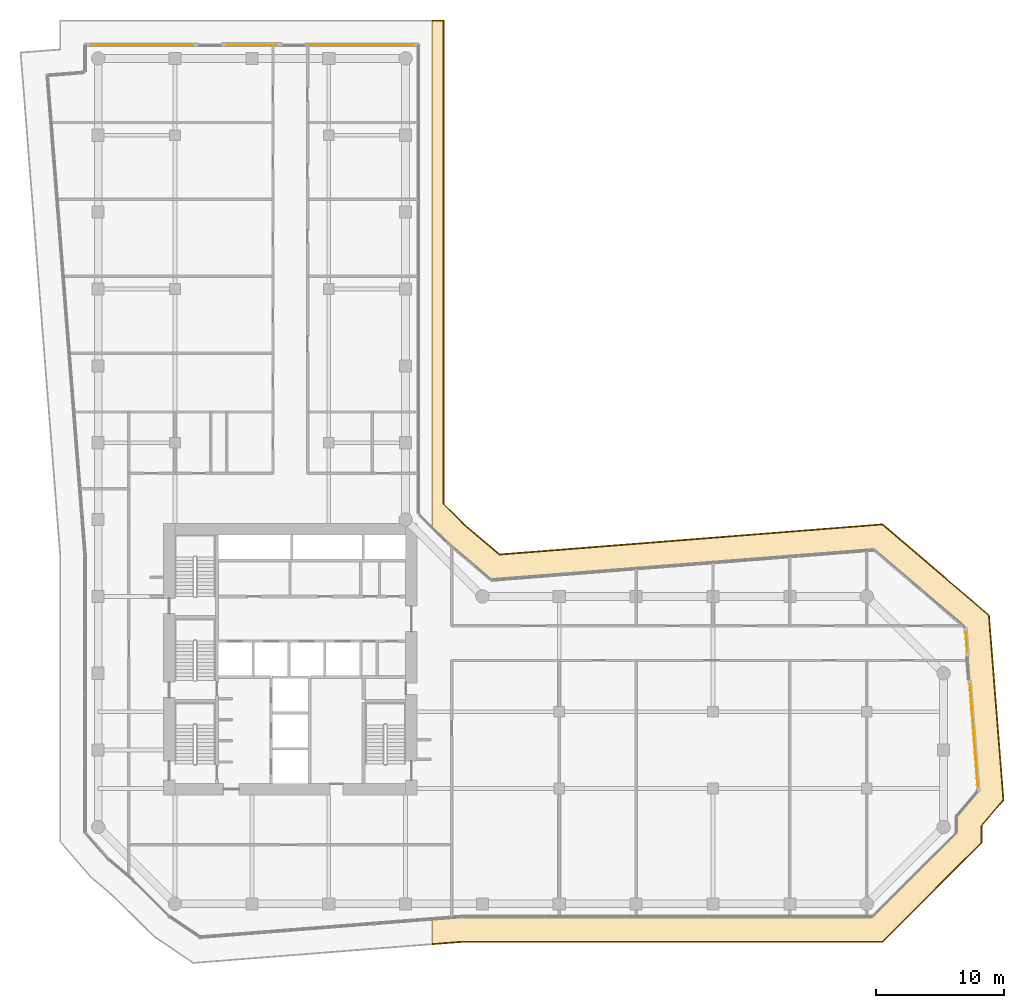
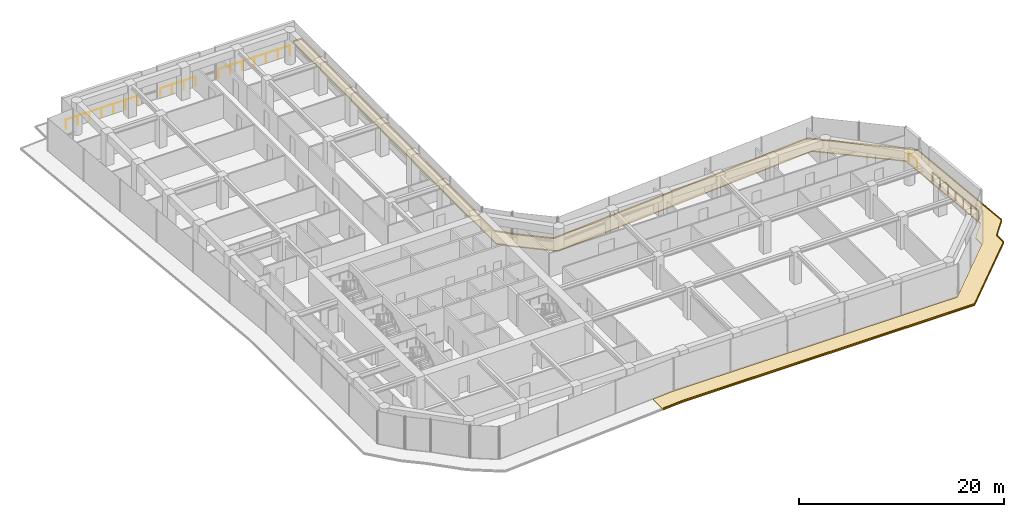
# One storey, part 28 of 28: 5 railings, 2 coverings.
"""IFC4 building model written with IfcOpenShell, lengths in metres."""

from ifc_helpers import new_model, si_unit, direction, frame, origin, origin_2d, place, context, subcontext, project, spatial, polyline, circle, outline, extrude, material, layer, layer_set, type_object, element, save


model = new_model("IFC4")

# Units and contexts
model_context = context("Model", 3, precision=1e-05, world=origin(), true_north=direction((0.0, 1.0)))
body_context = subcontext(model_context, "Body", "Model", "MODEL_VIEW")
ifc_project = project(units=[si_unit("LENGTHUNIT", "METRE"), si_unit("AREAUNIT", "SQUARE_METRE"), si_unit("VOLUMEUNIT", "CUBIC_METRE"), si_unit("PLANEANGLEUNIT", "RADIAN"), si_unit("MASSUNIT", "GRAM", prefix="KILO")], contexts=[model_context])

# Site, building, storey
site_placement = place(None, origin())
site = spatial("IfcSite", under=ifc_project, at=site_placement, CompositionType="ELEMENT")
building_placement = place(site_placement, origin())
building = spatial("IfcBuilding", under=site, at=building_placement, Name="Welwitschia Terrace Campus", CompositionType="ELEMENT")
storey_placement = place(building_placement, frame((0.0, 0.0, 71.0)))
storey = spatial("IfcBuildingStorey", under=building, at=storey_placement, Name="L16", CompositionType="ELEMENT", Elevation=71.0)

# Railings
ifc_material_1 = material(Name="Stainless steel grade 316", Category="steel")
railing_type = type_object("IfcRailingType", Name="Guard 1100", PredefinedType="GUARDRAIL", material=ifc_material_1)
railing_1_placement = place(storey_placement, frame((-0.60791015625, 63.05810546875, 0.0)))
element("IfcRailing", 1, at=railing_1_placement, inside=storey, type_object=railing_type, Name="Guard floor edge L16.0", PredefinedType="GUARDRAIL", context=body_context, shape_type="SweptSolid", body=[
    extrude(circle(Radius=0.02392578125, at=origin_2d()), frame((0.0, 0.0, 1.076171875), z_axis=(1.0, 0.0, 0.0), x_axis=(0.0, 1.0, 0.0)), (0.0, 0.0, 1.0), 8.030517578125),
    extrude(circle(Radius=0.02099609375, at=origin_2d()), origin(), (0.0, 0.0, 1.0), 1.052001953125),
    extrude(circle(Radius=0.02099609375, at=origin_2d()), frame((1.33837890625, 0.0, 0.0)), (0.0, 0.0, 1.0), 1.052001953125),
    extrude(circle(Radius=0.02099609375, at=origin_2d()), frame((2.6767578125, 0.0, 0.0)), (0.0, 0.0, 1.0), 1.052001953125),
    extrude(circle(Radius=0.02099609375, at=origin_2d()), frame((4.01513671875, 0.0, 0.0)), (0.0, 0.0, 1.0), 1.052001953125),
    extrude(circle(Radius=0.02099609375, at=origin_2d()), frame((5.353759765625, 0.0, 0.0)), (0.0, 0.0, 1.0), 1.052001953125),
    extrude(circle(Radius=0.02099609375, at=origin_2d()), frame((6.692138671875, 0.0, 0.0)), (0.0, 0.0, 1.0), 1.052001953125),
    extrude(circle(Radius=0.02099609375, at=origin_2d()), frame((8.030517578125, 0.0, 0.0)), (0.0, 0.0, 1.0), 1.052001953125),
])
railing_2_placement = place(storey_placement, frame((10.048583984375, 63.05810546875, 0.0)))
element("IfcRailing", 2, at=railing_2_placement, inside=storey, type_object=railing_type, Name="Guard floor edge L16.1", PredefinedType="GUARDRAIL", context=body_context, shape_type="SweptSolid", body=[
    extrude(circle(Radius=0.02392578125, at=origin_2d()), frame((0.0, 0.0, 1.076171875), z_axis=(1.0, 0.0, 0.0), x_axis=(0.0, 1.0, 0.0)), (0.0, 0.0, 1.0), 3.90283203125),
    extrude(circle(Radius=0.02099609375, at=origin_2d()), origin(), (0.0, 0.0, 1.0), 1.052001953125),
    extrude(circle(Radius=0.02099609375, at=origin_2d()), frame((1.301025390625, 0.0, 0.0)), (0.0, 0.0, 1.0), 1.052001953125),
    extrude(circle(Radius=0.02099609375, at=origin_2d()), frame((2.601806640625, 0.0, 0.0)), (0.0, 0.0, 1.0), 1.052001953125),
    extrude(circle(Radius=0.02099609375, at=origin_2d()), frame((3.90283203125, 0.0, 0.0)), (0.0, 0.0, 1.0), 1.052001953125),
])
railing_3_placement = place(storey_placement, frame((16.577392578125, 63.05810546875, 0.0)))
element("IfcRailing", 3, at=railing_3_placement, inside=storey, type_object=railing_type, Name="Guard floor edge L16.2", PredefinedType="GUARDRAIL", context=body_context, shape_type="SweptSolid", body=[
    extrude(circle(Radius=0.02392578125, at=origin_2d()), frame((0.0, 0.0, 1.076171875), z_axis=(1.0, 0.0, 0.0), x_axis=(0.0, 1.0, 0.0)), (0.0, 0.0, 1.0), 8.030517578125),
    extrude(circle(Radius=0.02099609375, at=origin_2d()), origin(), (0.0, 0.0, 1.0), 1.052001953125),
    extrude(circle(Radius=0.02099609375, at=origin_2d()), frame((1.33837890625, 0.0, 0.0)), (0.0, 0.0, 1.0), 1.052001953125),
    extrude(circle(Radius=0.02099609375, at=origin_2d()), frame((2.6767578125, 0.0, 0.0)), (0.0, 0.0, 1.0), 1.052001953125),
    extrude(circle(Radius=0.02099609375, at=origin_2d()), frame((4.01513671875, 0.0, 0.0)), (0.0, 0.0, 1.0), 1.052001953125),
    extrude(circle(Radius=0.02099609375, at=origin_2d()), frame((5.353759765625, 0.0, 0.0)), (0.0, 0.0, 1.0), 1.052001953125),
    extrude(circle(Radius=0.02099609375, at=origin_2d()), frame((6.692138671875, 0.0, 0.0)), (0.0, 0.0, 1.0), 1.052001953125),
    extrude(circle(Radius=0.02099609375, at=origin_2d()), frame((8.030517578125, 0.0, 0.0)), (0.0, 0.0, 1.0), 1.052001953125),
])
railing_4_placement = place(storey_placement, frame((67.740234375, 17.1787109375, 0.0)))
element("IfcRailing", 4, at=railing_4_placement, inside=storey, type_object=railing_type, Name="Guard floor edge L16.3", PredefinedType="GUARDRAIL", context=body_context, shape_type="SweptSolid", body=[
    extrude(circle(Radius=0.02392578125, at=origin_2d()), frame((0.0, 0.0, 1.076171875), z_axis=(0.078484396303, -0.996915342212, 0.0), x_axis=(0.996915342212, 0.078484396303, 0.0)), (0.0, 0.0, 1.0), 1.4931640625),
    extrude(circle(Radius=0.02099609375, at=origin_2d()), origin(), (0.0, 0.0, 1.0), 1.052001953125),
    extrude(circle(Radius=0.02099609375, at=origin_2d()), frame((0.1171875, -1.488525390625, 0.0)), (0.0, 0.0, 1.0), 1.052001953125),
])
railing_5_placement = place(storey_placement, frame((68.0634765625, 13.072265625, 0.0)))
element("IfcRailing", 5, at=railing_5_placement, inside=storey, type_object=railing_type, Name="Guard floor edge L16.4", PredefinedType="GUARDRAIL", context=body_context, shape_type="SweptSolid", body=[
    extrude(circle(Radius=0.02392578125, at=origin_2d()), frame((0.0, 0.0, 1.076171875), z_axis=(0.078461782342, -0.996917122288, 0.0), x_axis=(0.996917122288, 0.078461782342, 0.0)), (0.0, 0.0, 1.0), 7.931396484375),
    extrude(circle(Radius=0.02099609375, at=origin_2d()), origin(), (0.0, 0.0, 1.0), 1.052001953125),
    extrude(circle(Radius=0.02099609375, at=origin_2d()), frame((0.103759765625, -1.31787109375, 0.0)), (0.0, 0.0, 1.0), 1.052001953125),
    extrude(circle(Radius=0.02099609375, at=origin_2d()), frame((0.20751953125, -2.6357421875, 0.0)), (0.0, 0.0, 1.0), 1.052001953125),
    extrude(circle(Radius=0.02099609375, at=origin_2d()), frame((0.31103515625, -3.95361328125, 0.0)), (0.0, 0.0, 1.0), 1.052001953125),
    extrude(circle(Radius=0.02099609375, at=origin_2d()), frame((0.414794921875, -5.271240234375, 0.0)), (0.0, 0.0, 1.0), 1.052001953125),
    extrude(circle(Radius=0.02099609375, at=origin_2d()), frame((0.5185546875, -6.589111328125, 0.0)), (0.0, 0.0, 1.0), 1.052001953125),
    extrude(circle(Radius=0.02099609375, at=origin_2d()), frame((0.622314453125, -7.906982421875, 0.0)), (0.0, 0.0, 1.0), 1.052001953125),
])

# Coverings
ifc_material_2 = material(Name="Bronze anodised aluminium", Category="aluminium")
ifc_layer_1 = layer(ifc_material_2, 0.1201171875)
ifc_layer_set_1 = layer_set([ifc_layer_1], Name="Bronze anodised aluminium")
covering_type_1 = type_object("IfcCoveringType", Name="Sunshade band 2000", PredefinedType="USERDEFINED", material=ifc_layer_set_1)
covering_1_placement = place(storey_placement, frame((0.0, 0.0, -0.25)))
element("IfcCovering", 6, at=covering_1_placement, inside=storey, type_object=covering_type_1, Name="SUNSHADE L16.SE0", ObjectType="SUNSHADE", PredefinedType="USERDEFINED", context=body_context, shape_type="SweptSolid", body=[
    extrude(outline(polyline([(27.0, 65.0), (27.0, 27.24267578125), (28.560302734375, 25.682373046875), (31.331298828125, 23.31591796875), (61.23876953125, 25.66943359375), (69.580810546875, 18.544677734375), (70.71728515625, 4.10400390625), (69.0, 2.093505859375), (69.0, 0.75732421875), (61.24267578125, -7.0), (28.497802734375, -7.0), (26.049560546875, -7.192626953125), (26.049560546875, -5.1865234375), (28.419189453125, -5.0), (60.414306640625, -5.0), (67.0, 1.585693359375), (67.0, 2.831298828125), (68.658447265625, 4.773193359375), (67.652099609375, 17.56201171875), (60.56982421875, 23.610595703125), (30.662353515625, 21.2568359375), (27.201416015625, 24.212646484375), (26.049560546875, 25.364501953125), (26.049560546875, 65.0), (27.0, 65.0)])), origin(), (0.0, 0.0, 1.0), 0.1201171875),
])
ifc_material_3 = material(Name="Bronze anodised aluminium", Category="aluminium")
ifc_layer_2 = layer(ifc_material_3, 0.06005859375)
ifc_layer_set_2 = layer_set([ifc_layer_2], Name="Bronze anodised aluminium")
covering_type_2 = type_object("IfcCoveringType", Name="Sunshade lip 60", PredefinedType="USERDEFINED", material=ifc_layer_set_2)
covering_2_placement = place(storey_placement, frame((0.0, 0.0, -0.1298828125)))
element("IfcCovering", 7, at=covering_2_placement, inside=storey, type_object=covering_type_2, Name="SUNSHADE LIP L16.SE0.0", ObjectType="SUNSHADE", PredefinedType="USERDEFINED", context=body_context, shape_type="SweptSolid", body=[
    extrude(outline(polyline([(27.0, 27.24267578125), (28.560302734375, 25.682373046875), (31.331298828125, 23.31591796875), (61.23876953125, 25.66943359375), (69.580810546875, 18.544677734375), (70.71728515625, 4.10400390625), (69.0, 2.093505859375), (69.0, 0.75732421875), (61.24267578125, -7.0), (28.497802734375, -7.0), (26.049560546875, -7.192626953125), (26.049560546875, -7.132568359375), (28.495361328125, -6.93994140625), (61.2177734375, -6.93994140625), (68.93994140625, 0.7822265625), (68.93994140625, 2.115478515625), (70.655517578125, 4.124267578125), (69.52294921875, 18.51513671875), (61.21875, 25.60791015625), (31.31103515625, 23.25390625), (28.519287109375, 25.638427734375), (26.93994140625, 27.2177734375), (26.93994140625, 64.93994140625), (26.049560546875, 64.93994140625), (26.049560546875, 65.0), (27.0, 65.0), (27.0, 27.24267578125)])), origin(), (0.0, 0.0, 1.0), 0.1298828125),
])

save(model, "model.ifc")
